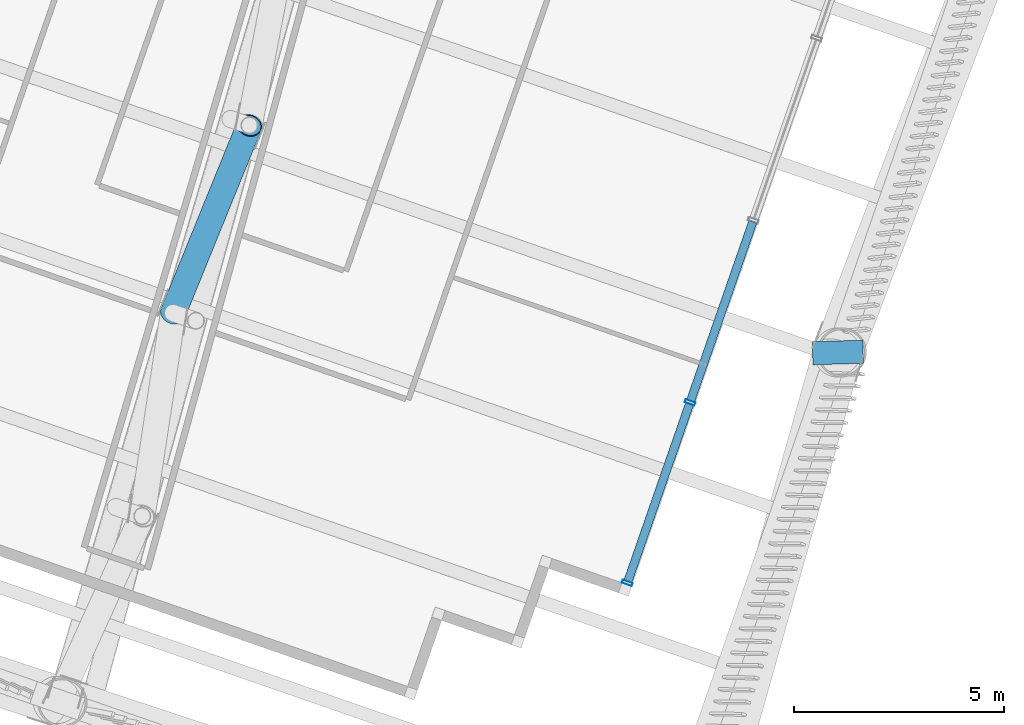
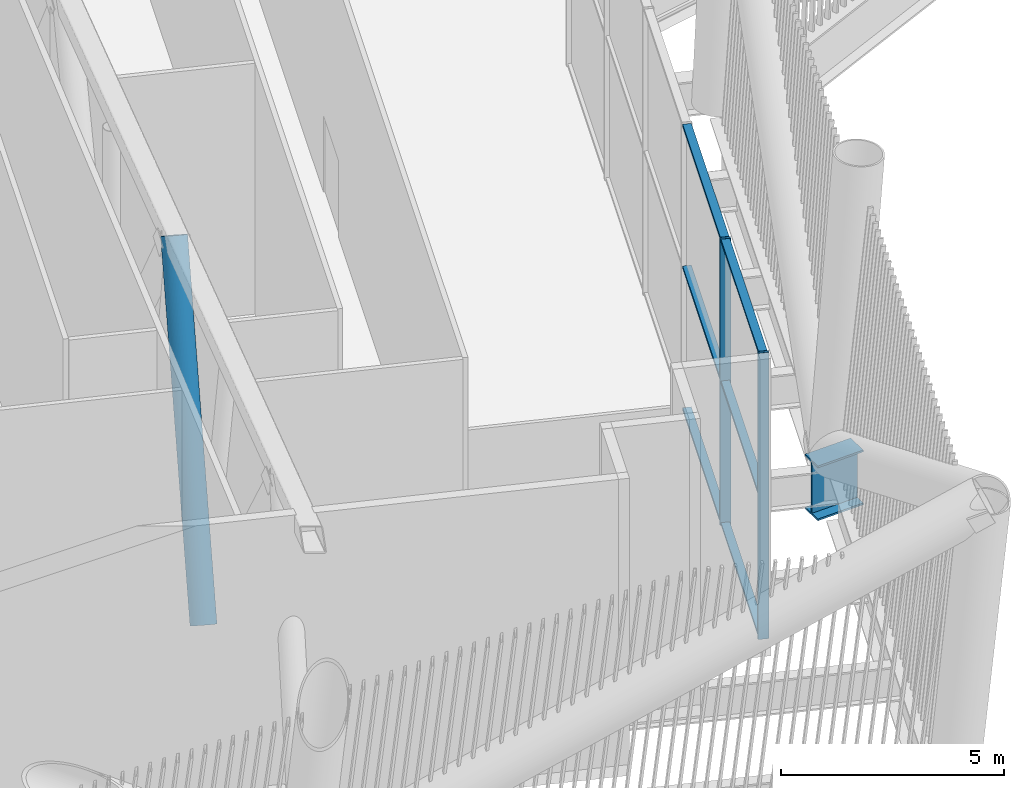
# One storey, part 5 of 63: 9 members, 1 beam, 1 element without a shape of its own.
"""IFC4 building model written with IfcOpenShell, lengths in metres."""

from ifc_helpers import new_model, si_unit, direction, frame, origin, origin_2d, place, context, subcontext, project, spatial, hollow_rectangle, hollow_circle, i_section, extrude, material, layer, layer_set, material_profile, profile_set, type_object, element, aggregate, save


model = new_model("IFC4")

# Units and contexts
model_context = context("Model", 3, precision=1e-05, world=origin(), true_north=direction((0.0, 1.0)))
body_context = subcontext(model_context, "Body", "Model", "MODEL_VIEW")
ifc_project = project(units=[si_unit("LENGTHUNIT", "METRE"), si_unit("AREAUNIT", "SQUARE_METRE"), si_unit("VOLUMEUNIT", "CUBIC_METRE"), si_unit("PLANEANGLEUNIT", "RADIAN"), si_unit("MASSUNIT", "GRAM", prefix="KILO")], contexts=[model_context])

# Site, building, storey
site_placement = place(None, origin())
site = spatial("IfcSite", under=ifc_project, at=site_placement, CompositionType="ELEMENT")
building_placement = place(site_placement, origin())
building = spatial("IfcBuilding", under=site, at=building_placement, Name="Tarsis Ring Headquarters", CompositionType="ELEMENT")
storey_placement = place(building_placement, frame((0.0, 0.0, 139.60009765625)))
storey = spatial("IfcBuildingStorey", under=building, at=storey_placement, Name="L32", CompositionType="ELEMENT", Elevation=139.60009765625)

# Curtain wall, members
ifc_material_1 = material(Name="Aluminium curtain wall", Category="aluminium")
ifc_layer = layer(ifc_material_1, 0.25)
ifc_layer_set = layer_set([ifc_layer], Name="Curtain wall sky lobby")
curtain_wall_type = type_object("IfcCurtainWallType", Name="Curtain wall sky lobby", PredefinedType="NOTDEFINED", material=ifc_layer_set)
curtain_wall_placement = place(storey_placement, origin())
curtain_wall = element("IfcCurtainWall", 1, at=curtain_wall_placement, inside=storey, type_object=curtain_wall_type, Name="Curtain wall L32-16", PredefinedType="NOTDEFINED")
ifc_material_2 = material(Name="Aluminium mullion", Category="aluminium")
ifc_material_profile_1 = material_profile(ifc_material_2, hollow_rectangle(XDim=0.25, YDim=0.080078125, WallThickness=0.0048828125, at=origin_2d()), Name="RHS 250x80x5")
ifc_profile_set_1 = profile_set([ifc_material_profile_1], Name="Aluminium mullion")
member_type_1 = type_object("IfcMemberType", Name="Curtain wall mullion sky lobby RHS 250x80x5", PredefinedType="MULLION", material=ifc_profile_set_1)
member_1_placement = place(storey_placement, frame((-3.78515625, -47.075439453125, 0.0), z_axis=(0.0, 0.0, 1.0), x_axis=(-0.944605723576, 0.32820729271, 0.0)))
member_1 = element("IfcMember", 2, at=member_1_placement, type_object=member_type_1, Name="CW-S mullion 1", PredefinedType="MULLION", context=body_context, shape_type="SweptSolid", body=[
    extrude(hollow_rectangle(XDim=0.25, YDim=0.080078125, WallThickness=0.0048828125, at=origin_2d()), origin(), (0.0, 0.0, 1.0), 7.83984375),
])
member_2_placement = place(storey_placement, frame((-2.294921875, -42.78662109375, 0.0), z_axis=(0.0, 0.0, 1.0), x_axis=(-0.944605723576, 0.32820729271, 0.0)))
member_2 = element("IfcMember", 3, at=member_2_placement, type_object=member_type_1, Name="CW-S mullion 2", PredefinedType="MULLION", context=body_context, shape_type="SweptSolid", body=[
    extrude(hollow_rectangle(XDim=0.25, YDim=0.080078125, WallThickness=0.0048828125, at=origin_2d()), origin(), (0.0, 0.0, 1.0), 7.83984375),
])
ifc_material_3 = material(Name="Aluminium transom", Category="aluminium")
ifc_material_profile_2 = material_profile(ifc_material_3, hollow_rectangle(XDim=0.199951171875, YDim=0.080078125, WallThickness=0.0048828125, at=origin_2d()), Name="RHS 200x80x5")
ifc_profile_set_2 = profile_set([ifc_material_profile_2], Name="Aluminium transom")
member_type_2 = type_object("IfcMemberType", Name="Curtain wall transom sky lobby RHS 200x80x5", PredefinedType="USERDEFINED", material=ifc_profile_set_2)
member_3_placement = place(storey_placement, frame((-3.77197265625, -47.03759765625, 0.039794921875), z_axis=(0.328206396565, 0.944606034945, 0.0), x_axis=(-0.944606034945, 0.328206396565, 0.0)))
member_3 = element("IfcMember", 4, at=member_3_placement, type_object=member_type_2, Name="CW-S transom 1.1", ObjectType="TRANSOM", PredefinedType="USERDEFINED", context=body_context, shape_type="SweptSolid", body=[
    extrude(hollow_rectangle(XDim=0.199951171875, YDim=0.080078125, WallThickness=0.0048828125, at=origin_2d()), origin(), (0.0, 0.0, 1.0), 4.460205078125),
])
member_4_placement = place(storey_placement, frame((-3.77197265625, -47.03759765625, 3.919921875), z_axis=(0.328206396565, 0.944606034945, 0.0), x_axis=(-0.944606034945, 0.328206396565, 0.0)))
member_4 = element("IfcMember", 5, at=member_4_placement, type_object=member_type_2, Name="CW-S transom 1.2", ObjectType="TRANSOM", PredefinedType="USERDEFINED", context=body_context, shape_type="SweptSolid", body=[
    extrude(hollow_rectangle(XDim=0.199951171875, YDim=0.080078125, WallThickness=0.0048828125, at=origin_2d()), origin(), (0.0, 0.0, 1.0), 4.460205078125),
])
member_5_placement = place(storey_placement, frame((-3.77197265625, -47.03759765625, 7.7998046875), z_axis=(0.328206396565, 0.944606034945, 0.0), x_axis=(-0.944606034945, 0.328206396565, 0.0)))
member_5 = element("IfcMember", 6, at=member_5_placement, type_object=member_type_2, Name="CW-S transom 1.3", ObjectType="TRANSOM", PredefinedType="USERDEFINED", context=body_context, shape_type="SweptSolid", body=[
    extrude(hollow_rectangle(XDim=0.199951171875, YDim=0.080078125, WallThickness=0.0048828125, at=origin_2d()), origin(), (0.0, 0.0, 1.0), 4.460205078125),
])
member_6_placement = place(storey_placement, frame((-2.281982421875, -42.748779296875, 0.039794921875), z_axis=(0.328213403514, 0.944603600329, 0.0), x_axis=(-0.944603600329, 0.328213403514, 0.0)))
member_6 = element("IfcMember", 7, at=member_6_placement, type_object=member_type_2, Name="CW-S transom 2.1", ObjectType="TRANSOM", PredefinedType="USERDEFINED", context=body_context, shape_type="SweptSolid", body=[
    extrude(hollow_rectangle(XDim=0.199951171875, YDim=0.080078125, WallThickness=0.0048828125, at=origin_2d()), origin(), (0.0, 0.0, 1.0), 4.500244140625),
])
member_7_placement = place(storey_placement, frame((-2.281982421875, -42.748779296875, 3.919921875), z_axis=(0.328213403514, 0.944603600329, 0.0), x_axis=(-0.944603600329, 0.328213403514, 0.0)))
member_7 = element("IfcMember", 8, at=member_7_placement, type_object=member_type_2, Name="CW-S transom 2.2", ObjectType="TRANSOM", PredefinedType="USERDEFINED", context=body_context, shape_type="SweptSolid", body=[
    extrude(hollow_rectangle(XDim=0.199951171875, YDim=0.080078125, WallThickness=0.0048828125, at=origin_2d()), origin(), (0.0, 0.0, 1.0), 4.500244140625),
])
member_8_placement = place(storey_placement, frame((-2.281982421875, -42.748779296875, 7.7998046875), z_axis=(0.328213403514, 0.944603600329, 0.0), x_axis=(-0.944603600329, 0.328213403514, 0.0)))
member_8 = element("IfcMember", 9, at=member_8_placement, type_object=member_type_2, Name="CW-S transom 2.3", ObjectType="TRANSOM", PredefinedType="USERDEFINED", context=body_context, shape_type="SweptSolid", body=[
    extrude(hollow_rectangle(XDim=0.199951171875, YDim=0.080078125, WallThickness=0.0048828125, at=origin_2d()), origin(), (0.0, 0.0, 1.0), 4.500244140625),
])
aggregate(curtain_wall, [member_1, member_2, member_3, member_4, member_5, member_6, member_7, member_8])

# Member
ifc_material_4 = material(Name="Structural steel S355", Category="steel")
ifc_material_profile_3 = material_profile(ifc_material_4, hollow_circle(Radius=0.3046875, WallThickness=0.02490234375, at=origin_2d()), Name="CHS 610x25")
ifc_profile_set_3 = profile_set([ifc_material_profile_3], Name="Structural steel S355")
member_type_3 = type_object("IfcMemberType", Name="OD Outrigger diagonal CHS 610x25", PredefinedType="BRACE", material=ifc_profile_set_3)
member_9_placement = place(storey_placement, frame((-12.765380859375, -36.20458984375, 7.5859375), z_axis=(-0.206714427048, -0.508323747957, -0.835988105725), x_axis=(0.926334407506, -0.376702223873, 0.0)))
element("IfcMember", 10, at=member_9_placement, inside=storey, type_object=member_type_3, Name="Outrigger diagonal OD1", PredefinedType="BRACE", context=body_context, shape_type="SweptSolid", body=[
    extrude(hollow_circle(Radius=0.3046875, WallThickness=0.02490234375, at=origin_2d()), origin(), (0.0, 0.0, 1.0), 8.7705078125),
])

# Beam
ifc_material_profile_4 = material_profile(ifc_material_4, i_section(OverallWidth=0.550048828125, OverallDepth=1.5, WebThickness=0.030029296875, FlangeThickness=0.050048828125, at=origin_2d()), Name="PG 1500x550x30x50")
ifc_profile_set_4 = profile_set([ifc_material_profile_4], Name="Structural steel S355")
beam_type = type_object("IfcBeamType", Name="XG Ring girder PG 1500x550x30x50", PredefinedType="BEAM", material=ifc_profile_set_4)
beam_placement = place(storey_placement, frame((0.61669921875, -41.617919921875, -0.725341796875), z_axis=(0.999570738685, 0.029297412247, 0.0), x_axis=(-0.029297412247, 0.999570738685, 0.0)))
element("IfcBeam", 11, at=beam_placement, inside=storey, type_object=beam_type, Name="Ring girder XG6", PredefinedType="BEAM", context=body_context, shape_type="SweptSolid", body=[
    extrude(i_section(OverallWidth=0.550048828125, OverallDepth=1.5, WebThickness=0.030029296875, FlangeThickness=0.050048828125, at=origin_2d()), origin(), (0.0, 0.0, 1.0), 1.199951171875),
])

save(model, "model.ifc")
